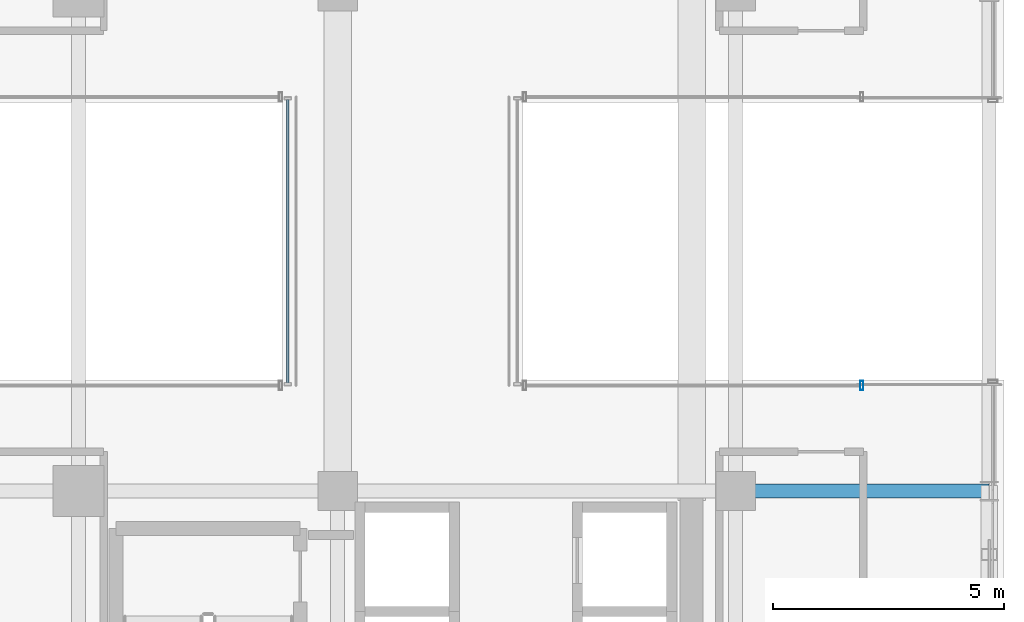
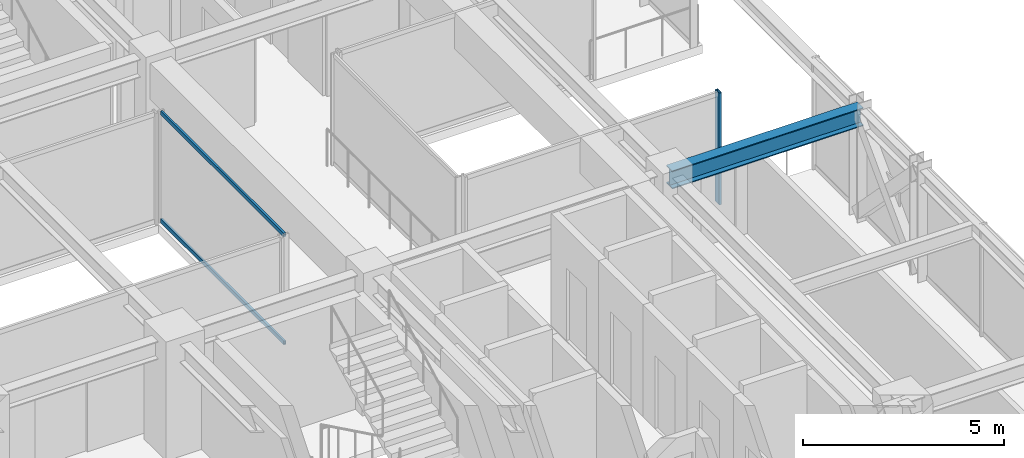
# One storey, part 16 of 35: 3 members, 1 beam, 2 elements without a shape of their own.
"""IFC4 building model written with IfcOpenShell, lengths in metres."""

from ifc_helpers import new_model, si_unit, direction, frame, origin, origin_2d, place, context, subcontext, project, spatial, hollow_rectangle, i_section, extrude, source, transform, mapped, material, material_profile, profile_set, type_object, element, aggregate, save


model = new_model("IFC4")

# Units and contexts
model_context = context("Model", 3, precision=1e-05, world=origin(), true_north=direction((0.0, 1.0)))
body_context = subcontext(model_context, "Body", "Model", "MODEL_VIEW")
ifc_project = project(units=[si_unit("LENGTHUNIT", "METRE"), si_unit("AREAUNIT", "SQUARE_METRE"), si_unit("VOLUMEUNIT", "CUBIC_METRE"), si_unit("PLANEANGLEUNIT", "RADIAN"), si_unit("MASSUNIT", "GRAM", prefix="KILO")], contexts=[model_context])

# Site, building, storey
site_placement = place(None, origin())
site = spatial("IfcSite", under=ifc_project, at=site_placement, CompositionType="ELEMENT")
building_placement = place(site_placement, origin())
building = spatial("IfcBuilding", under=site, at=building_placement, Name="Nahalor Promenade Grand Hotel", CompositionType="ELEMENT")
storey_placement = place(building_placement, frame((0.0, 0.0, 185.5)))
storey = spatial("IfcBuildingStorey", under=building, at=storey_placement, Name="L47", CompositionType="ELEMENT", Elevation=185.5)

# Beam
ifc_material_1 = material(Name="Steel S355JR", Category="steel")
ifc_material_profile_1 = material_profile(ifc_material_1, i_section(OverallWidth=0.3, OverallDepth=0.55, WebThickness=0.015, FlangeThickness=0.029, at=origin_2d()), Name="HEB 550")
ifc_profile_set_1 = profile_set([ifc_material_profile_1], Name="Steel S355JR")
beam_type = type_object("IfcBeamType", Name="Beam-Girder-HEB550", PredefinedType="BEAM", material=ifc_profile_set_1)
shared_shape_1 = source(origin(), body_context, "Body", "SweptSolid", [
    extrude(i_section(OverallWidth=0.3, OverallDepth=0.55, WebThickness=0.015, FlangeThickness=0.029, at=origin_2d()), origin(), (0.0, 0.0, 1.0), 5.47998046875),
])
beam_placement = place(storey_placement, frame((17.0, -5.39990234375, 3.114990234375), z_axis=(1.0, 0.0, 0.0), x_axis=(0.0, 1.0, 0.0)))
element("IfcBeam", 1, at=beam_placement, inside=storey, type_object=beam_type, Name="BM-L47-GX-1-6", PredefinedType="BEAM", context=body_context, shape_type="MappedRepresentation", body=[
    mapped(shared_shape_1, transform((0.0, 0.0, 0.0), scale=1.0)),
])

# Curtain wall, members
ifc_material_2 = material(Name="Anodised Bronze Aluminium EN AW-6063 T6", Category="aluminium")
curtain_wall_type_1 = type_object("IfcCurtainWallType", Name="CW4 Low-Iron Sky-Gallery Bridge Curtain Wall", PredefinedType="USERDEFINED", material=ifc_material_2)
curtain_wall_1_placement = place(storey_placement, origin())
curtain_wall_1 = element("IfcCurtainWall", 2, at=curtain_wall_1_placement, inside=storey, type_object=curtain_wall_type_1, Name="L47 Curtain Wall CW-L47-BRG-W", ObjectType="UNITISED_CURTAIN_WALL", PredefinedType="USERDEFINED")
ifc_material_profile_2 = material_profile(ifc_material_2, hollow_rectangle(XDim=0.06, YDim=0.12, WallThickness=0.004, at=origin_2d()), Name="CWT 60x120x4")
ifc_profile_set_2 = profile_set([ifc_material_profile_2], Name="Anodised Bronze Aluminium EN AW-6063 T6")
member_type_1 = type_object("IfcMemberType", Name="CWT4 Sky-Gallery Slim Transom 60x120", PredefinedType="USERDEFINED", material=ifc_profile_set_2)
shared_shape_2 = source(origin(), body_context, "Body", "SweptSolid", [
    extrude(hollow_rectangle(XDim=0.06, YDim=0.12, WallThickness=0.004, at=origin_2d()), origin(), (0.0, 0.0, 1.0), 6.1181640625),
])
member_1_placement = place(storey_placement, frame((7.320068359375, -3.05908203125, 0.06005859375), z_axis=(0.0, 1.0, 0.0), x_axis=(-1.0, 0.0, 0.0)))
member_1 = element("IfcMember", 3, at=member_1_placement, type_object=member_type_1, Name="CW-L47-BRG-W Transom 0-0", ObjectType="TRANSOM", PredefinedType="USERDEFINED", context=body_context, shape_type="MappedRepresentation", body=[
    mapped(shared_shape_2, transform((0.0, 0.0, 0.0), scale=1.0)),
])
member_2_placement = place(storey_placement, frame((7.320068359375, -3.05908203125, 3.330078125), z_axis=(0.0, 1.0, 0.0), x_axis=(-1.0, 0.0, 0.0)))
member_2 = element("IfcMember", 4, at=member_2_placement, type_object=member_type_1, Name="CW-L47-BRG-W Transom 0-1", ObjectType="TRANSOM", PredefinedType="USERDEFINED", context=body_context, shape_type="MappedRepresentation", body=[
    mapped(shared_shape_2, transform((0.0, 0.0, 0.0), scale=1.0)),
])
aggregate(curtain_wall_1, [member_1, member_2])

# Curtain wall, member
curtain_wall_type_2 = type_object("IfcCurtainWallType", Name="CW3 Elliptical-Void Collar Unitised Curtain Wall", PredefinedType="USERDEFINED", material=ifc_material_2)
curtain_wall_2_placement = place(storey_placement, origin())
curtain_wall_2 = element("IfcCurtainWall", 5, at=curtain_wall_2_placement, inside=storey, type_object=curtain_wall_type_2, Name="L47 Curtain Wall CW-L47-VOID-ES1", ObjectType="UNITISED_CURTAIN_WALL", PredefinedType="USERDEFINED")
ifc_material_profile_3 = material_profile(ifc_material_2, hollow_rectangle(XDim=0.07, YDim=0.2, WallThickness=0.005, at=origin_2d()), Name="CWM 70x200x5")
ifc_profile_set_3 = profile_set([ifc_material_profile_3], Name="Anodised Bronze Aluminium EN AW-6063 T6")
member_type_2 = type_object("IfcMemberType", Name="CWM3 Void Collar Mullion 70x200", PredefinedType="MULLION", material=ifc_profile_set_3)
shared_shape_3 = source(origin(), body_context, "Body", "SweptSolid", [
    extrude(hollow_rectangle(XDim=0.07, YDim=0.2, WallThickness=0.005, at=origin_2d()), origin(), (0.0, 0.0, 1.0), 3.389892578125),
])
member_3_placement = place(storey_placement, frame((19.72509765625, -3.118896484375, 0.0), z_axis=(0.0, 0.0, 1.0), x_axis=(1.0, 0.0, 0.0)))
member_3 = element("IfcMember", 6, at=member_3_placement, type_object=member_type_2, Name="CW-L47-VOID-ES1 Mullion 1", PredefinedType="MULLION", context=body_context, shape_type="MappedRepresentation", body=[
    mapped(shared_shape_3, transform((0.0, 0.0, 0.0), scale=1.0)),
])
aggregate(curtain_wall_2, [member_3])

save(model, "model.ifc")
